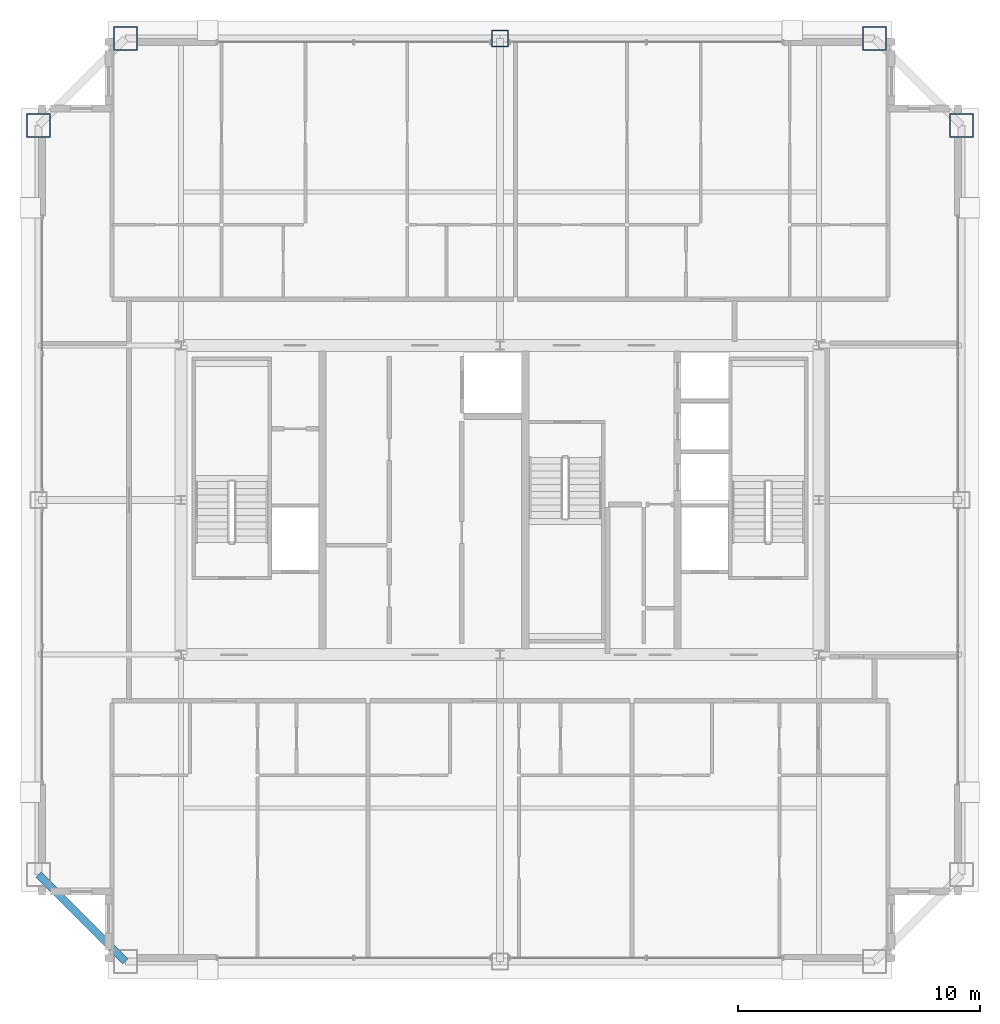
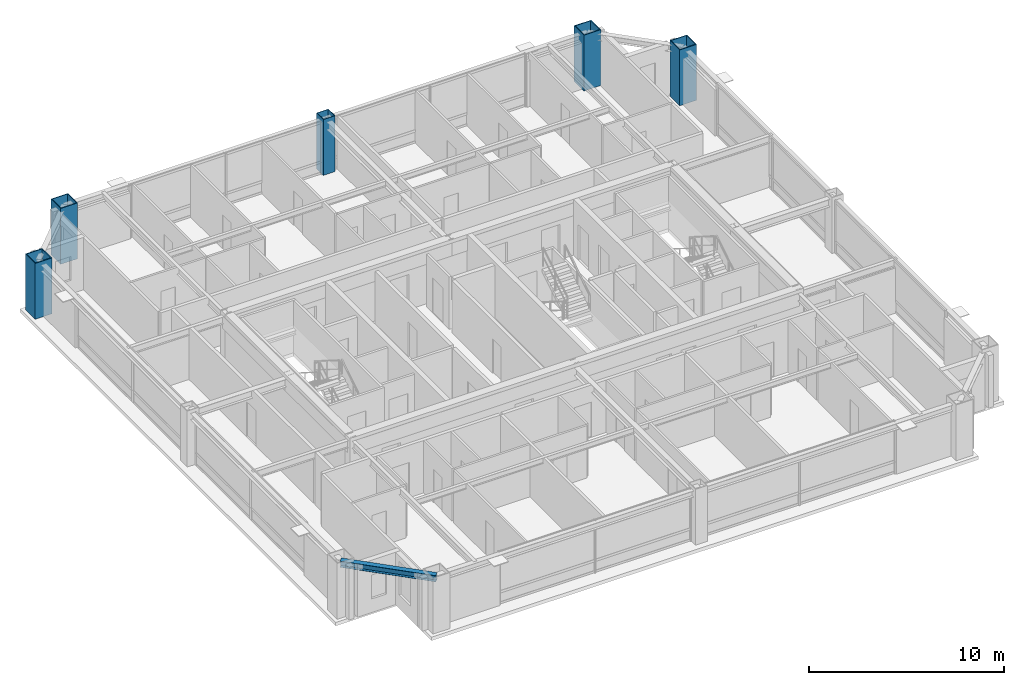
# One storey, part 3 of 35: 5 columns, 1 beam.
"""IFC4 building model written with IfcOpenShell, lengths in metres."""

from ifc_helpers import new_model, si_unit, direction, frame, origin, origin_2d, place, context, subcontext, project, spatial, hollow_rectangle, i_section, extrude, source, transform, mapped, material, material_profile, profile_set, type_object, element, save


model = new_model("IFC4")

# Units and contexts
model_context = context("Model", 3, precision=1e-05, world=origin(), true_north=direction((0.0, 1.0)))
body_context = subcontext(model_context, "Body", "Model", "MODEL_VIEW")
ifc_project = project(units=[si_unit("LENGTHUNIT", "METRE"), si_unit("AREAUNIT", "SQUARE_METRE"), si_unit("VOLUMEUNIT", "CUBIC_METRE"), si_unit("PLANEANGLEUNIT", "RADIAN"), si_unit("MASSUNIT", "GRAM", prefix="KILO"), si_unit("THERMODYNAMICTEMPERATUREUNIT", "KELVIN"), si_unit("POWERUNIT", "WATT")], contexts=[model_context])

# Site, building, storey
site_placement = place(None, origin())
site = spatial("IfcSite", under=ifc_project, at=site_placement, CompositionType="ELEMENT")
building_placement = place(site_placement, origin())
building = spatial("IfcBuilding", under=site, at=building_placement, Name="Yuzanri Waterfront Tower", CompositionType="ELEMENT")
storey_placement = place(building_placement, frame((0.0, 0.0, 289.10009765625)))
storey = spatial("IfcBuildingStorey", under=building, at=storey_placement, Name="L77", CompositionType="ELEMENT", Elevation=289.10009765625)

# Columns
ifc_material_1 = material(Name="Steel Q355B", Category="steel")
ifc_material_profile_1 = material_profile(ifc_material_1, hollow_rectangle(XDim=0.699951171875, YDim=0.699951171875, WallThickness=0.031982421875, at=origin_2d()), Name="RHS 700x700x32")
ifc_profile_set_1 = profile_set([ifc_material_profile_1], Name="Steel Q355B")
column_type_1 = type_object("IfcColumnType", Name="Frame Column Q355B RHS 700x700x32", PredefinedType="COLUMN", material=ifc_profile_set_1)
shared_shape_1 = source(origin(), body_context, "Body", "SweptSolid", [
    extrude(hollow_rectangle(XDim=0.699951171875, YDim=0.699951171875, WallThickness=0.031982421875, at=origin_2d()), origin(), (0.0, 0.0, 1.0), 3.5),
])
column_placement = place(storey_placement, frame((37.0, 44.89990234375, 0.0), z_axis=(0.0, 0.0, 1.0), x_axis=(1.0, 0.0, 0.0)))
element("IfcColumn", 1, at=column_placement, inside=storey, type_object=column_type_1, Name="L77 Perimeter Frame Column N2", PredefinedType="COLUMN", context=body_context, shape_type="MappedRepresentation", body=[
    mapped(shared_shape_1, transform((0.0, 0.0, 0.0), scale=1.0)),
])
ifc_material_2 = material(Name="Steel Q390GJC", Category="steel")
ifc_material_profile_2 = material_profile(ifc_material_2, hollow_rectangle(XDim=1.0, YDim=1.0, WallThickness=0.048095703125, at=origin_2d()), Name="RHS 1000x1000x48")
ifc_profile_set_2 = profile_set([ifc_material_profile_2], Name="Steel Q390GJC")
column_type_2 = type_object("IfcColumnType", Name="Mega Column Q390GJC RHS 1000x1000x48", PredefinedType="COLUMN", material=ifc_profile_set_2)
shared_shape_2 = source(origin(), body_context, "Body", "SweptSolid", [
    extrude(hollow_rectangle(XDim=1.0, YDim=1.0, WallThickness=0.048095703125, at=origin_2d()), origin(), (0.0, 0.0, 1.0), 3.5),
])
for number, where, z_axis, x_axis, name in (
    (2, (21.5, 44.89990234375, 0.0), (0.0, 0.0, 1.0), (1.0, 0.0, 0.0), "L77 Perimeter Mega Column N1"),
    (3, (52.5, 44.89990234375, 0.0), (0.0, 0.0, 1.0), (1.0, 0.0, 0.0), "L77 Perimeter Mega Column N3"),
    (4, (17.89990234375, 41.300048828125, 0.0), (0.0, 0.0, 1.0), (1.0, 0.0, 0.0), "L77 Perimeter Mega Column W3"),
    (5, (56.10009765625, 41.300048828125, 0.0), (0.0, 0.0, 1.0), (1.0, 0.0, 0.0), "L77 Perimeter Mega Column E3"),
):
    element("IfcColumn", number, at=place(storey_placement, frame(where, z_axis=z_axis, x_axis=x_axis)), inside=storey, type_object=column_type_2, Name=name, PredefinedType="COLUMN", context=body_context, shape_type="MappedRepresentation", body=[
        mapped(shared_shape_2, transform((0.0, 0.0, 0.0), scale=1.0)),
    ])

# Beam
ifc_material_3 = material(Name="Steel Q355B", Category="steel")
ifc_material_profile_3 = material_profile(ifc_material_3, i_section(OverallWidth=0.300048828125, OverallDepth=0.389892578125, WebThickness=0.010009765625, FlangeThickness=0.01611328125, at=origin_2d()), Name="HM 390x300x10x16")
ifc_profile_set_3 = profile_set([ifc_material_profile_3], Name="Steel Q355B")
beam_type = type_object("IfcBeamType", Name="Perimeter Spandrel Q355B HM 390x300", PredefinedType="SPANDREL", material=ifc_profile_set_3)
shared_shape_3 = source(origin(), body_context, "Body", "SweptSolid", [
    extrude(i_section(OverallWidth=0.300048828125, OverallDepth=0.389892578125, WebThickness=0.010009765625, FlangeThickness=0.01611328125, at=origin_2d()), origin(), (0.0, 0.0, 1.0), 5.09130859375),
])
beam_placement = place(storey_placement, frame((17.89990234375, 10.300048828125, 3.0849609375), z_axis=(0.707106781187, -0.707106781187, 0.0), x_axis=(0.707106781187, 0.707106781187, 0.0)))
element("IfcBeam", 6, at=beam_placement, inside=storey, type_object=beam_type, Name="L77 Perimeter Spandrel W1-S1", PredefinedType="SPANDREL", context=body_context, shape_type="MappedRepresentation", body=[
    mapped(shared_shape_3, transform((0.0, 0.0, 0.0), scale=1.0)),
])

save(model, "model.ifc")
